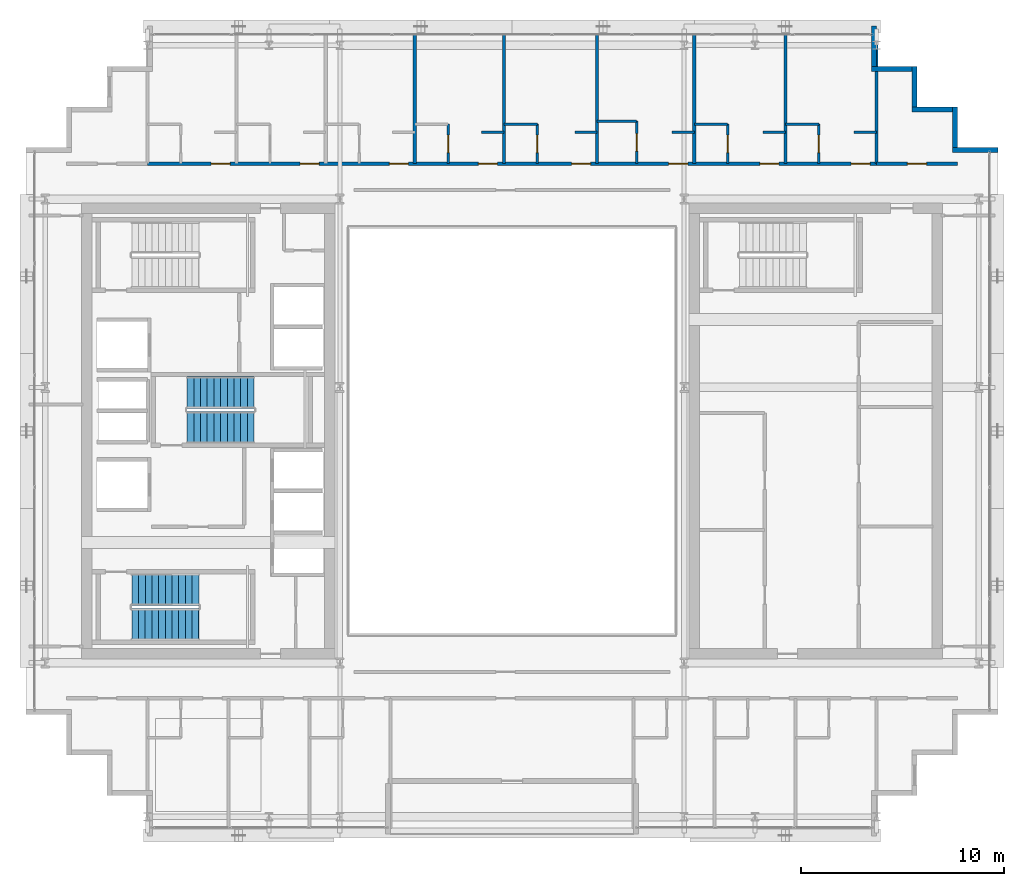
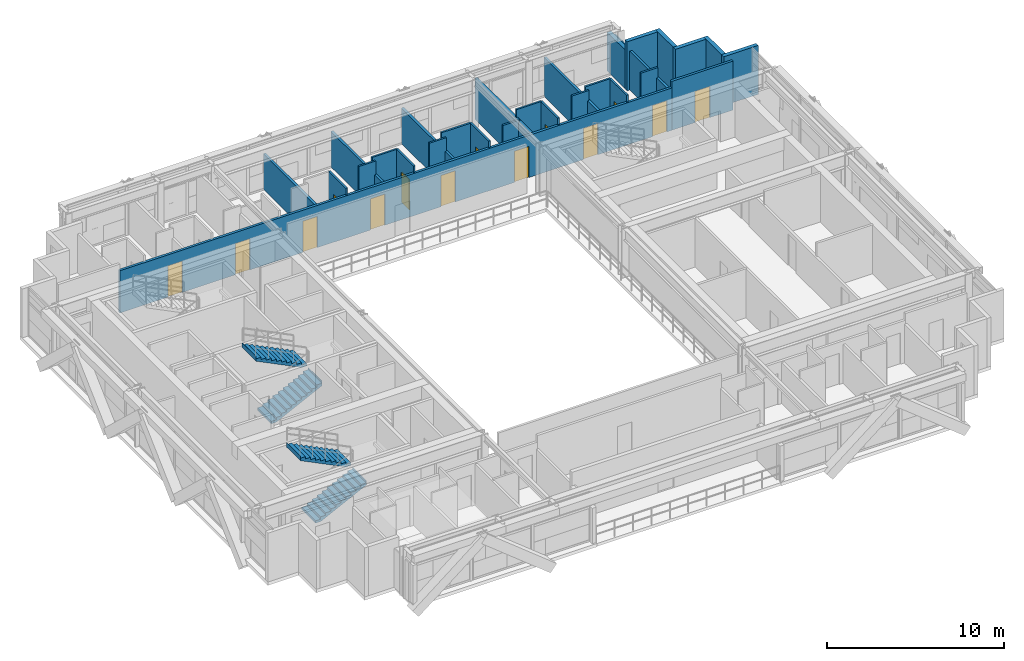
# One storey, part 27 of 32: 28 walls, 14 doors, 4 stair flights, 14 openings, 2 elements without a shape of their own.
"""IFC4 building model written with IfcOpenShell, lengths in metres."""

import ifcopenshell
import ifcopenshell.guid

model = None  # the IFC model being written
_history = None  # IfcOwnerHistory: only IFC2X3 demands one
_inside = {}  # id of a spatial element -> (the spatial element, [elements in it])
_under = {}  # id of a project, library or spatial element -> (it, [spatial elements below it])
_declared = {}  # id of a project -> (the project, [libraries it declares])
_typed = {}  # id of a type object -> (the type object, [elements of that type])
_made_of = {}  # id of a material, layer set ... -> (it, [elements and type objects made of it])


def new_model(schema):
    """Start an empty IFC model of exactly this schema.

    Asked for "IFC4X3", IfcOpenShell would pick the latest addendum, in which some entities
    have other attributes; the version numbers below select the first issue.
    IFC2X3 requires an IfcOwnerHistory on every rooted entity: one is made here for all.
    """
    global model, _history
    if schema == "IFC4X3":
        model = ifcopenshell.file(schema_version=(4, 3, 0, 0))
    else:
        model = ifcopenshell.file(schema=schema)
    _inside.clear()
    _under.clear()
    _declared.clear()
    _typed.clear()
    _made_of.clear()
    _history = None
    if model.schema == "IFC2X3":
        org = make("IfcOrganization", Name="unknown")
        user = make(
            "IfcPersonAndOrganization",
            ThePerson=make("IfcPerson", FamilyName="unknown"),
            TheOrganization=org,
        )
        app = make(
            "IfcApplication",
            ApplicationDeveloper=org,
            Version="unknown",
            ApplicationFullName="unknown",
            ApplicationIdentifier="unknown",
        )
        _history = make(
            "IfcOwnerHistory",
            OwningUser=user,
            OwningApplication=app,
            ChangeAction="ADDED",
            CreationDate=0,
        )
    return model


def make(cls, **values):
    """One entity of the class cls with the attributes given. An attribute that is None is left unset."""
    return model.create_entity(
        cls, **{name: value for name, value in values.items() if value is not None}
    )


def rooted(cls, **values):
    """An entity with a GlobalId (a new one), such as an element, a storey or a relation."""
    return make(cls, GlobalId=ifcopenshell.guid.new(), OwnerHistory=_history, **values)


def si_unit(unit_type, name, prefix=None):
    """IfcSIUnit, for example si_unit("LENGTHUNIT", "METRE", prefix="MILLI")."""
    return make("IfcSIUnit", UnitType=unit_type, Prefix=prefix, Name=name)


def assignment(units):
    """IfcUnitAssignment: the units of a project."""
    return None if units is None else make("IfcUnitAssignment", Units=units)


def point(xyz):
    """IfcCartesianPoint."""
    return None if xyz is None else make("IfcCartesianPoint", Coordinates=xyz)


def direction(xyz):
    """IfcDirection."""
    return None if xyz is None else make("IfcDirection", DirectionRatios=xyz)


def frame(location, z_axis=None, x_axis=None):
    """IfcAxis2Placement3D, a coordinate frame: its origin and axes. An axis left out is left unset."""
    return make(
        "IfcAxis2Placement3D",
        Location=point(location),
        Axis=direction(z_axis),
        RefDirection=direction(x_axis),
    )


def frame_2d(location, x_axis=None):
    """IfcAxis2Placement2D, a coordinate frame in the plane: its origin and x axis."""
    return make(
        "IfcAxis2Placement2D", Location=point(location), RefDirection=direction(x_axis)
    )


def origin():
    """The frame at (0, 0, 0) with its axes left unset."""
    return frame((0.0, 0.0, 0.0))


def place(relative_to, where):
    """IfcLocalPlacement: puts the frame where relative to a parent placement (None: the world)."""
    return make(
        "IfcLocalPlacement", PlacementRelTo=relative_to, RelativePlacement=where
    )


def context(
    kind, dimensions, precision=None, world=None, true_north=None, identifier=None
):
    """IfcGeometricRepresentationContext, for example the 3D "Model" context."""
    return make(
        "IfcGeometricRepresentationContext",
        ContextIdentifier=identifier,
        ContextType=kind,
        CoordinateSpaceDimension=dimensions,
        Precision=precision,
        WorldCoordinateSystem=world,
        TrueNorth=true_north,
    )


def subcontext(parent, identifier, kind, view, scale=None):
    """IfcGeometricRepresentationSubContext, for example "Body" below "Model"."""
    return make(
        "IfcGeometricRepresentationSubContext",
        ContextIdentifier=identifier,
        ContextType=kind,
        ParentContext=parent,
        TargetScale=scale,
        TargetView=view,
    )


def project(units=None, contexts=None):
    """IfcProject with its units and contexts."""
    return rooted(
        "IfcProject",
        Name="project",
        RepresentationContexts=contexts,
        UnitsInContext=assignment(units),
    )


def spatial(cls, under=None, at=None, **own):
    """A site, building, storey or space (cls), placed at a placement, below another one or the project."""
    s = rooted(cls, ObjectPlacement=at, **own)
    if under is not None:
        _under.setdefault(under.id(), (under, []))[1].append(s)
    return s


def polyline(points):
    """IfcPolyline through the points."""
    return make("IfcPolyline", Points=[point(p) for p in points])


def profile(cls, at=None, kind="AREA", **sizes):
    """A parametric profile (cls). Its sizes go by their IFC names, for example OverallWidth=200.0."""
    return make(cls, ProfileType=kind, Position=at, **sizes)


def rectangle(**sizes):
    """IfcRectangleProfileDef."""
    return profile("IfcRectangleProfileDef", **sizes)


def outline(outer, holes=None, kind="AREA"):
    """IfcArbitraryClosedProfileDef: a profile drawn as a closed curve; with holes, ...WithVoids."""
    if holes is None:
        return make("IfcArbitraryClosedProfileDef", ProfileType=kind, OuterCurve=outer)
    return make(
        "IfcArbitraryProfileDefWithVoids",
        ProfileType=kind,
        OuterCurve=outer,
        InnerCurves=holes,
    )


def extrude(swept, where, along, depth):
    """IfcExtrudedAreaSolid: the profile swept, set in the frame where, extruded along a direction by depth."""
    return make(
        "IfcExtrudedAreaSolid",
        SweptArea=swept,
        Position=where,
        ExtrudedDirection=direction(along),
        Depth=depth,
    )


def shape(context_of_items, identifier, shape_type, items):
    """IfcShapeRepresentation: the items that make up one representation, for example the "Body"."""
    return make(
        "IfcShapeRepresentation",
        ContextOfItems=context_of_items,
        RepresentationIdentifier=identifier,
        RepresentationType=shape_type,
        Items=items,
    )


def source(mapping_origin, context_of_items, identifier, shape_type, items):
    """IfcRepresentationMap: a shape defined once, which mapped items show again and again."""
    return make(
        "IfcRepresentationMap",
        MappingOrigin=mapping_origin,
        MappedRepresentation=shape(context_of_items, identifier, shape_type, items),
    )


def transform(
    local_origin,
    x_axis=None,
    y_axis=None,
    z_axis=None,
    scale=None,
    scale2=None,
    scale3=None,
    uniform=True,
):
    """IfcCartesianTransformationOperator3D, or its non-uniform kind. x_axis, y_axis, z_axis: its Axis1, 2, 3."""
    if uniform:
        return make(
            "IfcCartesianTransformationOperator3D",
            Axis1=direction(x_axis),
            Axis2=direction(y_axis),
            LocalOrigin=point(local_origin),
            Scale=scale,
            Axis3=direction(z_axis),
        )
    return make(
        "IfcCartesianTransformationOperator3DnonUniform",
        Axis1=direction(x_axis),
        Axis2=direction(y_axis),
        LocalOrigin=point(local_origin),
        Scale=scale,
        Axis3=direction(z_axis),
        Scale2=scale2,
        Scale3=scale3,
    )


def mapped(mapping_source, mapping_target):
    """IfcMappedItem: shows the shape of a source again, moved by a transform."""
    return make(
        "IfcMappedItem", MappingSource=mapping_source, MappingTarget=mapping_target
    )


def material(Name=None, Category=None):
    """IfcMaterial."""
    return make("IfcMaterial", Name=Name, Category=Category)


def layer(
    of_material, thickness, ventilated=None, Name=None, Category=None, Priority=None
):
    """IfcMaterialLayer: one layer of a wall or slab, of a material (None: an air gap)."""
    return make(
        "IfcMaterialLayer",
        Material=of_material,
        LayerThickness=thickness,
        IsVentilated=ventilated,
        Name=Name,
        Category=Category,
        Priority=Priority,
    )


def layer_set(layers, Name=None):
    """IfcMaterialLayerSet."""
    return make("IfcMaterialLayerSet", MaterialLayers=layers, LayerSetName=Name)


def made_of(thing, what):
    """Note that an element or type object is made of a material, layer set ...; save() writes the relation."""
    if what is not None:
        _made_of.setdefault(what.id(), (what, []))[1].append(thing)
    return thing


def type_object(cls, material=None, **own):
    """A type object (cls), such as IfcWallType, which elements share."""
    return made_of(rooted(cls, **own), material)


def element(
    cls,
    number,
    at=None,
    inside=None,
    cuts=None,
    type_object=None,
    material=None,
    context=None,
    identifier="Body",
    shape_type=None,
    held_by="IfcProductDefinitionShape",
    body=None,
    shapes=None,
    **own,
):
    """One element of the class cls, such as IfcWall. Its Tag is "e" and its number.

    at: its placement. inside: the storey or other place that contains it. cuts: it is an
    opening in that element (IfcRelVoidsElement). A single representation is given by context,
    identifier, shape_type and body (its items); several are given by shapes. held_by: the class
    of the entity that holds the representations. save() writes the other relations.
    """
    e = rooted(cls, Tag="e%d" % number, ObjectPlacement=at, **own)
    if body is not None:
        shapes = [shape(context, identifier, shape_type, body)]
    if shapes is not None:
        e.Representation = make(held_by, Representations=shapes)
    if inside is not None:
        _inside.setdefault(inside.id(), (inside, []))[1].append(e)
    if cuts is not None:
        rooted(
            "IfcRelVoidsElement", RelatingBuildingElement=cuts, RelatedOpeningElement=e
        )
    if type_object is not None:
        _typed.setdefault(type_object.id(), (type_object, []))[1].append(e)
    return made_of(e, material)


def fill(opening, filler):
    """IfcRelFillsElement: the door or window that sits in an opening."""
    return rooted(
        "IfcRelFillsElement",
        RelatingOpeningElement=opening,
        RelatedBuildingElement=filler,
    )


def aggregate(whole, parts):
    """IfcRelAggregates: a whole, such as a stair, and the parts it consists of."""
    return rooted("IfcRelAggregates", RelatingObject=whole, RelatedObjects=parts)


def save(model, path):
    """Write the relations noted so far, then the file.

    IfcRelAggregates (storeys below a building ...), IfcRelContainedInSpatialStructure (elements
    in a storey), IfcRelDefinesByType, IfcRelAssociatesMaterial and IfcRelDeclares: one each for
    every whole, place, type object, material and project.
    """
    for whole, parts in _under.values():
        aggregate(whole, parts)
    for where, things in _inside.values():
        rooted(
            "IfcRelContainedInSpatialStructure",
            RelatedElements=things,
            RelatingStructure=where,
        )
    for kind, things in _typed.values():
        rooted("IfcRelDefinesByType", RelatedObjects=things, RelatingType=kind)
    for what, things in _made_of.values():
        rooted("IfcRelAssociatesMaterial", RelatedObjects=things, RelatingMaterial=what)
    for by, libraries in _declared.values():
        rooted("IfcRelDeclares", RelatingContext=by, RelatedDefinitions=libraries)
    model.write(path)


model = new_model("IFC4")

# Units and contexts
model_context = context("Model", 3, precision=1e-05, world=origin(), true_north=direction((0.0, 1.0)))
body_context = subcontext(model_context, "Body", "Model", "MODEL_VIEW")
ifc_project = project(units=[si_unit("LENGTHUNIT", "METRE"), si_unit("AREAUNIT", "SQUARE_METRE"), si_unit("VOLUMEUNIT", "CUBIC_METRE"), si_unit("PLANEANGLEUNIT", "RADIAN"), si_unit("MASSUNIT", "GRAM", prefix="KILO")], contexts=[model_context])

# Site, building, storey
site_placement = place(None, origin())
site = spatial("IfcSite", under=ifc_project, at=site_placement, CompositionType="ELEMENT")
building_placement = place(site_placement, origin())
building = spatial("IfcBuilding", under=site, at=building_placement, Name="Ocotamira Hotel", CompositionType="ELEMENT")
storey_placement = place(building_placement, frame((0.0, 0.0, 166.800048828125)))
storey = spatial("IfcBuildingStorey", under=building, at=storey_placement, Name="L41", CompositionType="ELEMENT", Elevation=166.800048828125)

# Walls
ifc_material_1 = material(Name="Precast concrete C45/55", Category="concrete")
ifc_layer_1 = layer(ifc_material_1, 0.25)
ifc_layer_set_1 = layer_set([ifc_layer_1], Name="Precast concrete C45/55")
wall_type_1 = type_object("IfcWallType", Name="WL-EXT-SER-250", PredefinedType="SOLIDWALL", material=ifc_layer_set_1)
wall_1_placement = place(storey_placement, frame((56.0, 39.875, 0.0), z_axis=(0.0, 0.0, 1.0), x_axis=(-1.0, 0.0, 0.0)))
element("IfcWall", 1, at=wall_1_placement, inside=storey, type_object=wall_type_1, Name="L41 Serrated Corner Wall 07", PredefinedType="SOLIDWALL", context=body_context, shape_type="SweptSolid", body=[
    extrude(rectangle(XDim=2.25, YDim=0.25, at=frame_2d((1.125, 0.0))), origin(), (0.0, 0.0, 1.0), 3.369873046875),
])
for number, where, z_axis, x_axis, name in (
    (2, (53.875, 40.0, 0.0), (0.0, 0.0, 1.0), (0.0, 1.0, 0.0), "L41 Serrated Corner Wall 08"),
    (3, (53.75, 41.875, 0.0), (0.0, 0.0, 1.0), (-1.0, 0.0, 0.0), "L41 Serrated Corner Wall 09"),
    (4, (51.875, 42.0, 0.0), (0.0, 0.0, 1.0), (0.0, 1.0, 0.0), "L41 Serrated Corner Wall 10"),
    (5, (51.75, 43.875, 0.0), (0.0, 0.0, 1.0), (-1.0, 0.0, 0.0), "L41 Serrated Corner Wall 11"),
):
    element("IfcWall", number, at=place(storey_placement, frame(where, z_axis=z_axis, x_axis=x_axis)), inside=storey, type_object=wall_type_1, Name=name, PredefinedType="SOLIDWALL", context=body_context, shape_type="SweptSolid", body=[
        extrude(rectangle(XDim=2.0, YDim=0.25, at=frame_2d((1.0, 0.0))), origin(), (0.0, 0.0, 1.0), 3.369873046875),
    ])
wall_2_placement = place(storey_placement, frame((49.875, 44.0, 0.0), z_axis=(0.0, 0.0, 1.0), x_axis=(0.0, 1.0, 0.0)))
element("IfcWall", 6, at=wall_2_placement, inside=storey, type_object=wall_type_1, Name="L41 Serrated Corner Wall 12", PredefinedType="SOLIDWALL", context=body_context, shape_type="SweptSolid", body=[
    extrude(rectangle(XDim=2.0, YDim=0.25, at=frame_2d((1.0, 0.0))), origin(), (0.0, 0.0, 1.0), 2.677001953125),
])

# Wall, opening, door
ifc_material_2 = material(Name="Acoustic double-layer fire gypsum board partition", Category="gypsum")
ifc_layer_2 = layer(ifc_material_2, 0.159912109375)
ifc_layer_set_2 = layer_set([ifc_layer_2], Name="Acoustic double-layer fire gypsum board partition")
wall_type_2 = type_object("IfcWallType", Name="WL-FIRE-160", PredefinedType="PARTITIONING", material=ifc_layer_set_2)
wall_3_placement = place(storey_placement, frame((50.0, 39.199951171875, 0.0), z_axis=(0.0, 0.0, 1.0), x_axis=(1.0, 0.0, 0.0)))
wall_3 = element("IfcWall", 7, at=wall_3_placement, inside=storey, type_object=wall_type_2, Name="L41 Interior Wall PW-L41-Z3A-CNE-CW", PredefinedType="PARTITIONING", context=body_context, shape_type="SweptSolid", body=[
    extrude(rectangle(XDim=4.0, YDim=0.159912109375, at=frame_2d((2.0, 0.0))), origin(), (0.0, 0.0, 1.0), 3.369873046875),
])
opening_1_placement = place(wall_3_placement, frame((1.52001953125, 0.0, 0.0)))
opening_1 = element("IfcOpeningElement", 8, at=opening_1_placement, cuts=wall_3, Name="Opening D-SV4", PredefinedType="OPENING", context=body_context, shape_type="SweptSolid", body=[
    extrude(rectangle(XDim=0.9599609375, YDim=2.14990234375, at=frame_2d((0.47998046875, 1.074951171875))), frame((0.0, 0.08984375, 0.0), z_axis=(0.0, -1.0, 0.0), x_axis=(1.0, 0.0, 0.0)), (0.0, 0.0, 1.0), 0.179931640625),
])
ifc_material_3 = material(Name="Fire-rated accessible walnut salon door", Category="wood")
door_type_1 = type_object("IfcDoorType", Name="DR-SERV-960", OperationType="NOTDEFINED", PredefinedType="DOOR", material=ifc_material_3)
shared_shape_1 = source(origin(), body_context, "Body", "SweptSolid", [
    extrude(rectangle(XDim=0.9599609375, YDim=2.14990234375, at=frame_2d((0.47998046875, 1.074951171875))), frame((0.0, 0.02490234375, 0.0), z_axis=(0.0, -1.0, 0.0), x_axis=(1.0, 0.0, 0.0)), (0.0, 0.0, 1.0), 0.050048828125),
])
door_1_placement = place(opening_1_placement, origin())
door_1 = element("IfcDoor", 9, at=door_1_placement, inside=storey, type_object=door_type_1, Name="L41 Door ID-L41-Z3A-CNE-CD [ID-L41-Z3A-CNE-CD]", OperationType="SINGLE_SWING_LEFT", OverallHeight=2.14990234375, OverallWidth=0.9599609375, PredefinedType="DOOR", context=body_context, shape_type="MappedRepresentation", body=[
    mapped(shared_shape_1, transform((0.0, 0.0, 0.0), scale=1.0)),
])
fill(opening_1, door_1)

# Wall, openings, doors
wall_4_placement = place(storey_placement, frame((14.0, 39.199951171875, 0.0), z_axis=(0.0, 0.0, 1.0), x_axis=(1.0, 0.0, 0.0)))
wall_4 = element("IfcWall", 10, at=wall_4_placement, inside=storey, type_object=wall_type_2, Name="L41 Interior Wall PW-L41-Z3AN-CORRW", PredefinedType="PARTITIONING", context=body_context, shape_type="SweptSolid", body=[
    extrude(rectangle(XDim=36.0, YDim=0.159912109375, at=frame_2d((18.0, 0.0))), origin(), (0.0, 0.0, 1.0), 2.912841796875),
])
opening_2_placement = place(wall_4_placement, frame((3.139892578125, 0.0, 0.0)))
opening_2 = element("IfcOpeningElement", 11, at=opening_2_placement, cuts=wall_4, Name="Opening D-GR1", PredefinedType="OPENING", context=body_context, shape_type="SweptSolid", body=[
    extrude(rectangle(XDim=0.93994140625, YDim=2.14990234375, at=frame_2d((0.469970703125, 1.074951171875))), frame((0.0, 0.08984375, 0.0), z_axis=(0.0, -1.0, 0.0), x_axis=(1.0, 0.0, 0.0)), (0.0, 0.0, 1.0), 0.179931640625),
])
opening_3_placement = place(wall_4_placement, frame((7.5400390625, 0.0, 0.0)))
opening_3 = element("IfcOpeningElement", 12, at=opening_3_placement, cuts=wall_4, Name="Opening D-GR1", PredefinedType="OPENING", context=body_context, shape_type="SweptSolid", body=[
    extrude(rectangle(XDim=0.93994140625, YDim=2.14990234375, at=frame_2d((0.469970703125, 1.074951171875))), frame((0.0, 0.08984375, 0.0), z_axis=(0.0, -1.0, 0.0), x_axis=(1.0, 0.0, 0.0)), (0.0, 0.0, 1.0), 0.179931640625),
])
opening_4_placement = place(wall_4_placement, frame((11.93994140625, 0.0, 0.0)))
opening_4 = element("IfcOpeningElement", 13, at=opening_4_placement, cuts=wall_4, Name="Opening D-GR1", PredefinedType="OPENING", context=body_context, shape_type="SweptSolid", body=[
    extrude(rectangle(XDim=0.93994140625, YDim=2.14990234375, at=frame_2d((0.469970703125, 1.074951171875))), frame((0.0, 0.08984375, 0.0), z_axis=(0.0, -1.0, 0.0), x_axis=(1.0, 0.0, 0.0)), (0.0, 0.0, 1.0), 0.179931640625),
])
opening_5_placement = place(wall_4_placement, frame((16.340087890625, 0.0, 0.0)))
opening_5 = element("IfcOpeningElement", 14, at=opening_5_placement, cuts=wall_4, Name="Opening D-GR1", PredefinedType="OPENING", context=body_context, shape_type="SweptSolid", body=[
    extrude(rectangle(XDim=0.93994140625, YDim=2.14990234375, at=frame_2d((0.469970703125, 1.074951171875))), frame((0.0, 0.08984375, 0.0), z_axis=(0.0, -1.0, 0.0), x_axis=(1.0, 0.0, 0.0)), (0.0, 0.0, 1.0), 0.179931640625),
])
opening_6_placement = place(wall_4_placement, frame((20.93994140625, 0.0, 0.0)))
opening_6 = element("IfcOpeningElement", 15, at=opening_6_placement, cuts=wall_4, Name="Opening D-GR1", PredefinedType="OPENING", context=body_context, shape_type="SweptSolid", body=[
    extrude(rectangle(XDim=0.93994140625, YDim=2.14990234375, at=frame_2d((0.469970703125, 1.074951171875))), frame((0.0, 0.08984375, 0.0), z_axis=(0.0, -1.0, 0.0), x_axis=(1.0, 0.0, 0.0)), (0.0, 0.0, 1.0), 0.179931640625),
])
opening_7_placement = place(wall_4_placement, frame((25.739990234375, 0.0, 0.0)))
opening_7 = element("IfcOpeningElement", 16, at=opening_7_placement, cuts=wall_4, Name="Opening D-GR1", PredefinedType="OPENING", context=body_context, shape_type="SweptSolid", body=[
    extrude(rectangle(XDim=0.93994140625, YDim=2.14990234375, at=frame_2d((0.469970703125, 1.074951171875))), frame((0.0, 0.08984375, 0.0), z_axis=(0.0, -1.0, 0.0), x_axis=(1.0, 0.0, 0.0)), (0.0, 0.0, 1.0), 0.179931640625),
])
opening_8_placement = place(wall_4_placement, frame((30.239990234375, 0.0, 0.0)))
opening_8 = element("IfcOpeningElement", 17, at=opening_8_placement, cuts=wall_4, Name="Opening D-GR1", PredefinedType="OPENING", context=body_context, shape_type="SweptSolid", body=[
    extrude(rectangle(XDim=0.93994140625, YDim=2.14990234375, at=frame_2d((0.469970703125, 1.074951171875))), frame((0.0, 0.08984375, 0.0), z_axis=(0.0, -1.0, 0.0), x_axis=(1.0, 0.0, 0.0)), (0.0, 0.0, 1.0), 0.179931640625),
])
opening_9_placement = place(wall_4_placement, frame((34.739990234375, 0.0, 0.0)))
opening_9 = element("IfcOpeningElement", 18, at=opening_9_placement, cuts=wall_4, Name="Opening D-GR1", PredefinedType="OPENING", context=body_context, shape_type="SweptSolid", body=[
    extrude(rectangle(XDim=0.93994140625, YDim=2.14990234375, at=frame_2d((0.469970703125, 1.074951171875))), frame((0.0, 0.08984375, 0.0), z_axis=(0.0, -1.0, 0.0), x_axis=(1.0, 0.0, 0.0)), (0.0, 0.0, 1.0), 0.179931640625),
])
ifc_material_4 = material(Name="Solid-core walnut suite entrance fire door", Category="wood")
door_type_2 = type_object("IfcDoorType", Name="DR-GUEST-940", OperationType="NOTDEFINED", PredefinedType="DOOR", material=ifc_material_4)
shared_shape_2 = source(origin(), body_context, "Body", "SweptSolid", [
    extrude(rectangle(XDim=0.93994140625, YDim=2.14990234375, at=frame_2d((0.469970703125, 1.074951171875))), frame((0.0, 0.02490234375, 0.0), z_axis=(0.0, -1.0, 0.0), x_axis=(1.0, 0.0, 0.0)), (0.0, 0.0, 1.0), 0.050048828125),
])
door_2_placement = place(opening_2_placement, origin())
door_2 = element("IfcDoor", 19, at=door_2_placement, inside=storey, type_object=door_type_2, Name="L41 Door ID-L41-Z3AN-RMD1 [ID-L41-Z3AN-RMD1]", OperationType="SINGLE_SWING_LEFT", OverallHeight=2.14990234375, OverallWidth=0.93994140625, PredefinedType="DOOR", context=body_context, shape_type="MappedRepresentation", body=[
    mapped(shared_shape_2, transform((0.0, 0.0, 0.0), scale=1.0)),
])
fill(opening_2, door_2)
door_3_placement = place(opening_3_placement, origin())
door_3 = element("IfcDoor", 20, at=door_3_placement, inside=storey, type_object=door_type_2, Name="L41 Door ID-L41-Z3AN-RMD2 [ID-L41-Z3AN-RMD2]", OperationType="SINGLE_SWING_RIGHT", OverallHeight=2.14990234375, OverallWidth=0.93994140625, PredefinedType="DOOR", context=body_context, shape_type="MappedRepresentation", body=[
    mapped(shared_shape_2, transform((0.0, 0.0, 0.0), scale=1.0)),
])
fill(opening_3, door_3)
door_4_placement = place(opening_4_placement, origin())
door_4 = element("IfcDoor", 21, at=door_4_placement, inside=storey, type_object=door_type_2, Name="L41 Door ID-L41-Z3AN-RMD3 [ID-L41-Z3AN-RMD3]", OperationType="SINGLE_SWING_LEFT", OverallHeight=2.14990234375, OverallWidth=0.93994140625, PredefinedType="DOOR", context=body_context, shape_type="MappedRepresentation", body=[
    mapped(shared_shape_2, transform((0.0, 0.0, 0.0), scale=1.0)),
])
fill(opening_4, door_4)
door_5_placement = place(opening_5_placement, origin())
door_5 = element("IfcDoor", 22, at=door_5_placement, inside=storey, type_object=door_type_2, Name="L41 Door ID-L41-Z3AN-RMD4 [ID-L41-Z3AN-RMD4]", OperationType="SINGLE_SWING_RIGHT", OverallHeight=2.14990234375, OverallWidth=0.93994140625, PredefinedType="DOOR", context=body_context, shape_type="MappedRepresentation", body=[
    mapped(shared_shape_2, transform((0.0, 0.0, 0.0), scale=1.0)),
])
fill(opening_5, door_5)
door_6_placement = place(opening_6_placement, origin())
door_6 = element("IfcDoor", 23, at=door_6_placement, inside=storey, type_object=door_type_2, Name="L41 Door ID-L41-Z3AN-RMD5 [ID-L41-Z3AN-RMD5]", OperationType="SINGLE_SWING_LEFT", OverallHeight=2.14990234375, OverallWidth=0.93994140625, PredefinedType="DOOR", context=body_context, shape_type="MappedRepresentation", body=[
    mapped(shared_shape_2, transform((0.0, 0.0, 0.0), scale=1.0)),
])
fill(opening_6, door_6)
door_7_placement = place(opening_7_placement, origin())
door_7 = element("IfcDoor", 24, at=door_7_placement, inside=storey, type_object=door_type_2, Name="L41 Door ID-L41-Z3AN-RMD6 [ID-L41-Z3AN-RMD6]", OperationType="SINGLE_SWING_RIGHT", OverallHeight=2.14990234375, OverallWidth=0.93994140625, PredefinedType="DOOR", context=body_context, shape_type="MappedRepresentation", body=[
    mapped(shared_shape_2, transform((0.0, 0.0, 0.0), scale=1.0)),
])
fill(opening_7, door_7)
door_8_placement = place(opening_8_placement, origin())
door_8 = element("IfcDoor", 25, at=door_8_placement, inside=storey, type_object=door_type_2, Name="L41 Door ID-L41-Z3AN-RMD7 [ID-L41-Z3AN-RMD7]", OperationType="SINGLE_SWING_LEFT", OverallHeight=2.14990234375, OverallWidth=0.93994140625, PredefinedType="DOOR", context=body_context, shape_type="MappedRepresentation", body=[
    mapped(shared_shape_2, transform((0.0, 0.0, 0.0), scale=1.0)),
])
fill(opening_8, door_8)
door_9_placement = place(opening_9_placement, origin())
door_9 = element("IfcDoor", 26, at=door_9_placement, inside=storey, type_object=door_type_2, Name="L41 Door ID-L41-Z3AN-RMD8 [ID-L41-Z3AN-RMD8]", OperationType="SINGLE_SWING_RIGHT", OverallHeight=2.14990234375, OverallWidth=0.93994140625, PredefinedType="DOOR", context=body_context, shape_type="MappedRepresentation", body=[
    mapped(shared_shape_2, transform((0.0, 0.0, 0.0), scale=1.0)),
])
fill(opening_9, door_9)

# Wall, opening, door
ifc_material_5 = material(Name="Moisture-resistant en-suite tile and gypsum partition", Category="gypsum")
ifc_layer_3 = layer(ifc_material_5, 0.1201171875)
ifc_layer_set_3 = layer_set([ifc_layer_3], Name="Moisture-resistant en-suite tile and gypsum partition")
wall_type_3 = type_object("IfcWallType", Name="WL-PART-120", PredefinedType="PARTITIONING", material=ifc_layer_set_3)
wall_5_placement = place(storey_placement, frame((28.85009765625, 39.199951171875, 0.0), z_axis=(0.0, 0.0, 1.0), x_axis=(0.0, 1.0, 0.0)))
wall_5 = element("IfcWall", 27, at=wall_5_placement, inside=storey, type_object=wall_type_3, Name="L41 Interior Wall PW-L41-Z3AN-BAE4", PredefinedType="PARTITIONING", context=body_context, shape_type="SweptSolid", body=[
    extrude(rectangle(XDim=1.949951171875, YDim=0.1201171875, at=frame_2d((0.97509765625, 0.0))), origin(), (0.0, 0.0, 1.0), 3.369873046875),
])
opening_10_placement = place(wall_5_placement, frame((0.544921875, 0.0, 0.0)))
opening_10 = element("IfcOpeningElement", 28, at=opening_10_placement, cuts=wall_5, Name="Opening D-BA1", PredefinedType="OPENING", context=body_context, shape_type="SweptSolid", body=[
    extrude(rectangle(XDim=0.860107421875, YDim=2.10009765625, at=frame_2d((0.43017578125, 1.050048828125))), frame((0.0, 0.070068359375, 0.0), z_axis=(0.0, -1.0, 0.0), x_axis=(1.0, 0.0, 0.0)), (0.0, 0.0, 1.0), 0.14013671875),
])
ifc_material_6 = material(Name="Moisture-sealed en-suite timber door", Category="wood")
door_type_3 = type_object("IfcDoorType", Name="DR-BATH-860", OperationType="NOTDEFINED", PredefinedType="DOOR", material=ifc_material_6)
shared_shape_3 = source(origin(), body_context, "Body", "SweptSolid", [
    extrude(rectangle(XDim=0.860107421875, YDim=2.10009765625, at=frame_2d((0.43017578125, 1.050048828125))), frame((0.0, 0.02490234375, 0.0), z_axis=(0.0, -1.0, 0.0), x_axis=(1.0, 0.0, 0.0)), (0.0, 0.0, 1.0), 0.050048828125),
])
door_10_placement = place(opening_10_placement, origin())
door_10 = element("IfcDoor", 29, at=door_10_placement, inside=storey, type_object=door_type_3, Name="L41 Door ID-L41-Z3AN-BAD4 [ID-L41-Z3AN-BAD4]", OperationType="SINGLE_SWING_LEFT", OverallHeight=2.10009765625, OverallWidth=0.860107421875, PredefinedType="DOOR", context=body_context, shape_type="MappedRepresentation", body=[
    mapped(shared_shape_3, transform((0.0, 0.0, 0.0), scale=1.0)),
])
fill(opening_10, door_10)

# Wall
wall_6_placement = place(storey_placement, frame((30.5, 40.75, 0.0), z_axis=(0.0, 0.0, 1.0), x_axis=(1.0, 0.0, 0.0)))
element("IfcWall", 30, at=wall_6_placement, inside=storey, type_object=wall_type_3, Name="L41 Interior Wall PW-L41-Z3AN-DRN4", PredefinedType="PARTITIONING", context=body_context, shape_type="SweptSolid", body=[
    extrude(rectangle(XDim=1.10009765625, YDim=0.1201171875, at=frame_2d((0.550048828125, 0.0))), origin(), (0.0, 0.0, 1.0), 3.369873046875),
])

# Wall, opening, door
wall_7_placement = place(storey_placement, frame((33.25, 39.199951171875, 0.0), z_axis=(0.0, 0.0, 1.0), x_axis=(0.0, 1.0, 0.0)))
wall_7 = element("IfcWall", 31, at=wall_7_placement, inside=storey, type_object=wall_type_3, Name="L41 Interior Wall PW-L41-Z3AN-BAE5", PredefinedType="PARTITIONING", context=body_context, shape_type="SweptSolid", body=[
    extrude(rectangle(XDim=1.949951171875, YDim=0.1201171875, at=frame_2d((0.97509765625, 0.0))), origin(), (0.0, 0.0, 1.0), 3.369873046875),
])
opening_11_placement = place(wall_7_placement, frame((0.544921875, 0.0, 0.0)))
opening_11 = element("IfcOpeningElement", 32, at=opening_11_placement, cuts=wall_7, Name="Opening D-BA1", PredefinedType="OPENING", context=body_context, shape_type="SweptSolid", body=[
    extrude(rectangle(XDim=0.860107421875, YDim=2.10009765625, at=frame_2d((0.43017578125, 1.050048828125))), frame((0.0, 0.070068359375, 0.0), z_axis=(0.0, -1.0, 0.0), x_axis=(1.0, 0.0, 0.0)), (0.0, 0.0, 1.0), 0.14013671875),
])
door_11_placement = place(opening_11_placement, origin())
door_11 = element("IfcDoor", 33, at=door_11_placement, inside=storey, type_object=door_type_3, Name="L41 Door ID-L41-Z3AN-BAD5 [ID-L41-Z3AN-BAD5]", OperationType="SINGLE_SWING_RIGHT", OverallHeight=2.10009765625, OverallWidth=0.860107421875, PredefinedType="DOOR", context=body_context, shape_type="MappedRepresentation", body=[
    mapped(shared_shape_3, transform((0.0, 0.0, 0.0), scale=1.0)),
])
fill(opening_11, door_11)

# Walls
wall_8_placement = place(storey_placement, frame((31.60009765625, 41.14990234375, 0.0), z_axis=(0.0, 0.0, 1.0), x_axis=(1.0, 0.0, 0.0)))
element("IfcWall", 34, at=wall_8_placement, inside=storey, type_object=wall_type_3, Name="L41 Interior Wall PW-L41-Z3AN-BAN5", PredefinedType="PARTITIONING", context=body_context, shape_type="SweptSolid", body=[
    extrude(rectangle(XDim=1.64990234375, YDim=0.1201171875, at=frame_2d((0.824951171875, 0.0))), origin(), (0.0, 0.0, 1.0), 3.369873046875),
])
wall_9_placement = place(storey_placement, frame((35.10009765625, 40.75, 0.0), z_axis=(0.0, 0.0, 1.0), x_axis=(1.0, 0.0, 0.0)))
element("IfcWall", 35, at=wall_9_placement, inside=storey, type_object=wall_type_3, Name="L41 Interior Wall PW-L41-Z3AN-DRN5", PredefinedType="PARTITIONING", context=body_context, shape_type="SweptSolid", body=[
    extrude(rectangle(XDim=1.099853515625, YDim=0.1201171875, at=frame_2d((0.5498046875, 0.0))), origin(), (0.0, 0.0, 1.0), 3.369873046875),
])

# Wall, opening, door
wall_10_placement = place(storey_placement, frame((38.14990234375, 39.199951171875, 0.0), z_axis=(0.0, 0.0, 1.0), x_axis=(0.0, 1.0, 0.0)))
wall_10 = element("IfcWall", 36, at=wall_10_placement, inside=storey, type_object=wall_type_3, Name="L41 Interior Wall PW-L41-Z3AN-BAE6", PredefinedType="PARTITIONING", context=body_context, shape_type="SweptSolid", body=[
    extrude(rectangle(XDim=2.10009765625, YDim=0.1201171875, at=frame_2d((1.050048828125, 0.0))), origin(), (0.0, 0.0, 1.0), 3.369873046875),
])
opening_12_placement = place(wall_10_placement, frame((0.6201171875, 0.0, 0.0)))
opening_12 = element("IfcOpeningElement", 37, at=opening_12_placement, cuts=wall_10, Name="Opening D-BA1", PredefinedType="OPENING", context=body_context, shape_type="SweptSolid", body=[
    extrude(rectangle(XDim=0.860107421875, YDim=2.10009765625, at=frame_2d((0.43017578125, 1.050048828125))), frame((0.0, 0.070068359375, 0.0), z_axis=(0.0, -1.0, 0.0), x_axis=(1.0, 0.0, 0.0)), (0.0, 0.0, 1.0), 0.14013671875),
])
door_12_placement = place(opening_12_placement, origin())
door_12 = element("IfcDoor", 38, at=door_12_placement, inside=storey, type_object=door_type_3, Name="L41 Door ID-L41-Z3AN-BAD6 [ID-L41-Z3AN-BAD6]", OperationType="SINGLE_SWING_LEFT", OverallHeight=2.10009765625, OverallWidth=0.860107421875, PredefinedType="DOOR", context=body_context, shape_type="MappedRepresentation", body=[
    mapped(shared_shape_3, transform((0.0, 0.0, 0.0), scale=1.0)),
])
fill(opening_12, door_12)

# Walls
wall_11_placement = place(storey_placement, frame((36.199951171875, 41.300048828125, 0.0), z_axis=(0.0, 0.0, 1.0), x_axis=(1.0, 0.0, 0.0)))
element("IfcWall", 39, at=wall_11_placement, inside=storey, type_object=wall_type_3, Name="L41 Interior Wall PW-L41-Z3AN-BAN6", PredefinedType="PARTITIONING", context=body_context, shape_type="SweptSolid", body=[
    extrude(rectangle(XDim=1.949951171875, YDim=0.1201171875, at=frame_2d((0.97509765625, 0.0))), origin(), (0.0, 0.0, 1.0), 3.369873046875),
])
wall_12_placement = place(storey_placement, frame((39.89990234375, 40.75, 0.0), z_axis=(0.0, 0.0, 1.0), x_axis=(1.0, 0.0, 0.0)))
element("IfcWall", 40, at=wall_12_placement, inside=storey, type_object=wall_type_3, Name="L41 Interior Wall PW-L41-Z3AN-DRN6", PredefinedType="PARTITIONING", context=body_context, shape_type="SweptSolid", body=[
    extrude(rectangle(XDim=1.10009765625, YDim=0.1201171875, at=frame_2d((0.550048828125, 0.0))), origin(), (0.0, 0.0, 1.0), 2.912841796875),
])

# Wall, opening, door
wall_13_placement = place(storey_placement, frame((42.64990234375, 39.199951171875, 0.0), z_axis=(0.0, 0.0, 1.0), x_axis=(0.0, 1.0, 0.0)))
wall_13 = element("IfcWall", 41, at=wall_13_placement, inside=storey, type_object=wall_type_3, Name="L41 Interior Wall PW-L41-Z3AN-BAE7", PredefinedType="PARTITIONING", context=body_context, shape_type="SweptSolid", body=[
    extrude(rectangle(XDim=1.949951171875, YDim=0.1201171875, at=frame_2d((0.97509765625, 0.0))), origin(), (0.0, 0.0, 1.0), 3.369873046875),
])
opening_13_placement = place(wall_13_placement, frame((0.544921875, 0.0, 0.0)))
opening_13 = element("IfcOpeningElement", 42, at=opening_13_placement, cuts=wall_13, Name="Opening D-BA1", PredefinedType="OPENING", context=body_context, shape_type="SweptSolid", body=[
    extrude(rectangle(XDim=0.860107421875, YDim=2.10009765625, at=frame_2d((0.43017578125, 1.050048828125))), frame((0.0, 0.070068359375, 0.0), z_axis=(0.0, -1.0, 0.0), x_axis=(1.0, 0.0, 0.0)), (0.0, 0.0, 1.0), 0.14013671875),
])
door_13_placement = place(opening_13_placement, origin())
door_13 = element("IfcDoor", 43, at=door_13_placement, inside=storey, type_object=door_type_3, Name="L41 Door ID-L41-Z3AN-BAD7 [ID-L41-Z3AN-BAD7]", OperationType="SINGLE_SWING_RIGHT", OverallHeight=2.10009765625, OverallWidth=0.860107421875, PredefinedType="DOOR", context=body_context, shape_type="MappedRepresentation", body=[
    mapped(shared_shape_3, transform((0.0, 0.0, 0.0), scale=1.0)),
])
fill(opening_13, door_13)

# Walls
wall_14_placement = place(storey_placement, frame((41.0, 41.14990234375, 0.0), z_axis=(0.0, 0.0, 1.0), x_axis=(1.0, 0.0, 0.0)))
element("IfcWall", 44, at=wall_14_placement, inside=storey, type_object=wall_type_3, Name="L41 Interior Wall PW-L41-Z3AN-BAN7", PredefinedType="PARTITIONING", context=body_context, shape_type="SweptSolid", body=[
    extrude(rectangle(XDim=1.64990234375, YDim=0.1201171875, at=frame_2d((0.824951171875, 0.0))), origin(), (0.0, 0.0, 1.0), 3.369873046875),
])
wall_15_placement = place(storey_placement, frame((44.39990234375, 40.75, 0.0), z_axis=(0.0, 0.0, 1.0), x_axis=(1.0, 0.0, 0.0)))
element("IfcWall", 45, at=wall_15_placement, inside=storey, type_object=wall_type_3, Name="L41 Interior Wall PW-L41-Z3AN-DRN7", PredefinedType="PARTITIONING", context=body_context, shape_type="SweptSolid", body=[
    extrude(rectangle(XDim=1.10009765625, YDim=0.1201171875, at=frame_2d((0.550048828125, 0.0))), origin(), (0.0, 0.0, 1.0), 3.369873046875),
])

# Wall, opening, door
wall_16_placement = place(storey_placement, frame((47.14990234375, 39.199951171875, 0.0), z_axis=(0.0, 0.0, 1.0), x_axis=(0.0, 1.0, 0.0)))
wall_16 = element("IfcWall", 46, at=wall_16_placement, inside=storey, type_object=wall_type_3, Name="L41 Interior Wall PW-L41-Z3AN-BAE8", PredefinedType="PARTITIONING", context=body_context, shape_type="SweptSolid", body=[
    extrude(rectangle(XDim=1.949951171875, YDim=0.1201171875, at=frame_2d((0.97509765625, 0.0))), origin(), (0.0, 0.0, 1.0), 3.369873046875),
])
opening_14_placement = place(wall_16_placement, frame((0.544921875, 0.0, 0.0)))
opening_14 = element("IfcOpeningElement", 47, at=opening_14_placement, cuts=wall_16, Name="Opening D-BA1", PredefinedType="OPENING", context=body_context, shape_type="SweptSolid", body=[
    extrude(rectangle(XDim=0.860107421875, YDim=2.10009765625, at=frame_2d((0.43017578125, 1.050048828125))), frame((0.0, 0.070068359375, 0.0), z_axis=(0.0, -1.0, 0.0), x_axis=(1.0, 0.0, 0.0)), (0.0, 0.0, 1.0), 0.14013671875),
])
door_14_placement = place(opening_14_placement, origin())
door_14 = element("IfcDoor", 48, at=door_14_placement, inside=storey, type_object=door_type_3, Name="L41 Door ID-L41-Z3AN-BAD8 [ID-L41-Z3AN-BAD8]", OperationType="SINGLE_SWING_LEFT", OverallHeight=2.10009765625, OverallWidth=0.860107421875, PredefinedType="DOOR", context=body_context, shape_type="MappedRepresentation", body=[
    mapped(shared_shape_3, transform((0.0, 0.0, 0.0), scale=1.0)),
])
fill(opening_14, door_14)

# Walls
wall_17_placement = place(storey_placement, frame((45.5, 41.14990234375, 0.0), z_axis=(0.0, 0.0, 1.0), x_axis=(1.0, 0.0, 0.0)))
element("IfcWall", 49, at=wall_17_placement, inside=storey, type_object=wall_type_3, Name="L41 Interior Wall PW-L41-Z3AN-BAN8", PredefinedType="PARTITIONING", context=body_context, shape_type="SweptSolid", body=[
    extrude(rectangle(XDim=1.64990234375, YDim=0.1201171875, at=frame_2d((0.824951171875, 0.0))), origin(), (0.0, 0.0, 1.0), 3.369873046875),
])
wall_18_placement = place(storey_placement, frame((48.89990234375, 40.75, 0.0), z_axis=(0.0, 0.0, 1.0), x_axis=(1.0, 0.0, 0.0)))
element("IfcWall", 50, at=wall_18_placement, inside=storey, type_object=wall_type_3, Name="L41 Interior Wall PW-L41-Z3AN-DRN8", PredefinedType="PARTITIONING", context=body_context, shape_type="SweptSolid", body=[
    extrude(rectangle(XDim=1.10009765625, YDim=0.1201171875, at=frame_2d((0.550048828125, 0.0))), origin(), (0.0, 0.0, 1.0), 3.369873046875),
])
ifc_material_7 = material(Name="Acoustic double-stud hospitality gypsum partition", Category="gypsum")
ifc_layer_4 = layer(ifc_material_7, 0.159912109375)
ifc_layer_set_4 = layer_set([ifc_layer_4], Name="Acoustic double-stud hospitality gypsum partition")
wall_type_4 = type_object("IfcWallType", Name="WL-PART-160", PredefinedType="PARTITIONING", material=ifc_layer_set_4)
wall_19_placement = place(storey_placement, frame((50.0, 39.199951171875, 0.0), z_axis=(0.0, 0.0, 1.0), x_axis=(0.0, 1.0, 0.0)))
element("IfcWall", 51, at=wall_19_placement, inside=storey, type_object=wall_type_4, Name="L41 Interior Wall PW-L41-Z3AN-PWEND", PredefinedType="PARTITIONING", context=body_context, shape_type="SweptSolid", body=[
    extrude(rectangle(XDim=6.43994140625, YDim=0.159912109375, at=frame_2d((3.219970703125, 0.0))), origin(), (0.0, 0.0, 1.0), 2.677001953125),
])
for number, where, z_axis, x_axis, name in (
    (52, (27.199951171875, 39.199951171875, 0.0), (0.0, 0.0, 1.0), (0.0, 1.0, 0.0), "L41 Interior Wall PW-L41-Z3AN-PW3"),
    (53, (31.60009765625, 39.199951171875, 0.0), (0.0, 0.0, 1.0), (0.0, 1.0, 0.0), "L41 Interior Wall PW-L41-Z3AN-PW4"),
    (54, (36.199951171875, 39.199951171875, 0.0), (0.0, 0.0, 1.0), (0.0, 1.0, 0.0), "L41 Interior Wall PW-L41-Z3AN-PW5"),
):
    element("IfcWall", number, at=place(storey_placement, frame(where, z_axis=z_axis, x_axis=x_axis)), inside=storey, type_object=wall_type_4, Name=name, PredefinedType="PARTITIONING", context=body_context, shape_type="SweptSolid", body=[
        extrude(rectangle(XDim=6.43994140625, YDim=0.159912109375, at=frame_2d((3.219970703125, 0.0))), origin(), (0.0, 0.0, 1.0), 2.44287109375),
    ])
wall_20_placement = place(storey_placement, frame((45.5, 39.199951171875, 0.0), z_axis=(0.0, 0.0, 1.0), x_axis=(0.0, 1.0, 0.0)))
element("IfcWall", 55, at=wall_20_placement, inside=storey, type_object=wall_type_4, Name="L41 Interior Wall PW-L41-Z3AN-PW7", PredefinedType="PARTITIONING", context=body_context, shape_type="SweptSolid", body=[
    extrude(rectangle(XDim=6.43994140625, YDim=0.159912109375, at=frame_2d((3.219970703125, 0.0))), origin(), (0.0, 0.0, 1.0), 2.677001953125),
])
ifc_material_8 = material(Name="Double-stud suite party gypsum partition", Category="gypsum")
ifc_layer_5 = layer(ifc_material_8, 0.175048828125)
ifc_layer_set_5 = layer_set([ifc_layer_5], Name="Double-stud suite party gypsum partition")
wall_type_5 = type_object("IfcWallType", Name="WL-PART-175", PredefinedType="PARTITIONING", material=ifc_layer_set_5)
wall_21_placement = place(storey_placement, frame((41.0, 39.199951171875, 0.0), z_axis=(0.0, 0.0, 1.0), x_axis=(0.0, 1.0, 0.0)))
element("IfcWall", 56, at=wall_21_placement, inside=storey, type_object=wall_type_5, Name="L41 Interior Wall PW-L41-Z3AN-PW6", PredefinedType="PARTITIONING", context=body_context, shape_type="SweptSolid", body=[
    extrude(rectangle(XDim=6.43994140625, YDim=0.175048828125, at=frame_2d((3.219970703125, 0.0))), origin(), (0.0, 0.0, 1.0), 2.8330078125),
])

# Stair, stair flights
ifc_material_9 = material(Name="Concrete C40/50", Category="concrete")
stair_type = type_object("IfcStairType", Name="ST-CORE-1560", PredefinedType="HALF_TURN_STAIR", material=ifc_material_9)
stair_1_placement = place(storey_placement, origin())
stair_1 = element("IfcStair", 57, at=stair_1_placement, inside=storey, type_object=stair_type, Name="L41 Exit Stair ST-1", PredefinedType="HALF_TURN_STAIR")
stair_flight_type = type_object("IfcStairFlightType", Name="STF-CORE-1560", PredefinedType="STRAIGHT", material=ifc_material_9)
shared_shape_4 = source(origin(), body_context, "Body", "SweptSolid", [
    extrude(outline(polyline([(-0.00390625, 0.0), (-0.00390625, 0.16357421875), (0.330078125, 0.16357421875), (0.330078125, 0.327392578125), (0.659912109375, 0.327392578125), (0.659912109375, 0.490966796875), (0.989990234375, 0.490966796875), (0.989990234375, 0.654541015625), (1.320068359375, 0.654541015625), (1.320068359375, 0.818115234375), (1.64990234375, 0.818115234375), (1.64990234375, 0.98193359375), (1.97998046875, 0.98193359375), (1.97998046875, 1.1455078125), (2.31005859375, 1.1455078125), (2.31005859375, 1.30908203125), (2.639892578125, 1.30908203125), (2.639892578125, 1.47265625), (2.969970703125, 1.47265625), (2.969970703125, 1.636474609375), (3.300048828125, 1.636474609375), (3.300048828125, 1.800048828125), (3.303955078125, 1.800048828125), (3.303955078125, 1.468994140625), (0.33740234375, 0.0), (-0.00390625, 0.0)])), frame((0.0, 0.780029296875, 0.0), z_axis=(0.0, -1.0, 0.0), x_axis=(1.0, 0.0, 0.0)), (0.0, 0.0, 1.0), 1.56005859375),
])
stair_flight_1_placement = place(storey_placement, frame((13.22998046875, 16.449951171875, 0.0), z_axis=(0.0, 0.0, 1.0), x_axis=(1.0, 0.0, 0.0)))
stair_flight_1 = element("IfcStairFlight", 58, at=stair_flight_1_placement, type_object=stair_flight_type, Name="ST-1 flight 1", NumberOfRisers=11, NumberOfTreads=10, PredefinedType="STRAIGHT", RiserHeight=0.163636364, TreadLength=0.33, context=body_context, shape_type="MappedRepresentation", body=[
    mapped(shared_shape_4, transform((0.0, 0.0, 0.0), scale=1.0)),
])
stair_flight_2_placement = place(storey_placement, frame((16.530029296875, 18.169921875, 1.800048828125), z_axis=(0.0, 0.0, 1.0), x_axis=(-1.0, 0.0, 0.0)))
stair_flight_2 = element("IfcStairFlight", 59, at=stair_flight_2_placement, type_object=stair_flight_type, Name="ST-1 flight 2", NumberOfRisers=11, NumberOfTreads=10, PredefinedType="STRAIGHT", RiserHeight=0.163636364, TreadLength=0.33, context=body_context, shape_type="MappedRepresentation", body=[
    mapped(shared_shape_4, transform((0.0, 0.0, 0.0), scale=1.0)),
])
aggregate(stair_1, [stair_flight_1, stair_flight_2])

stair_2_placement = place(storey_placement, origin())
stair_2 = element("IfcStair", 60, at=stair_2_placement, inside=storey, type_object=stair_type, Name="L41 Exit Stair ST-3", PredefinedType="HALF_TURN_STAIR")
stair_flight_3_placement = place(storey_placement, frame((15.9599609375, 26.179931640625, 0.0), z_axis=(0.0, 0.0, 1.0), x_axis=(1.0, 0.0, 0.0)))
stair_flight_3 = element("IfcStairFlight", 61, at=stair_flight_3_placement, type_object=stair_flight_type, Name="ST-3 flight 1", NumberOfRisers=11, NumberOfTreads=10, PredefinedType="STRAIGHT", RiserHeight=0.163636364, TreadLength=0.33, context=body_context, shape_type="MappedRepresentation", body=[
    mapped(shared_shape_4, transform((0.0, 0.0, 0.0), scale=1.0)),
])
stair_flight_4_placement = place(storey_placement, frame((19.260009765625, 27.89990234375, 1.800048828125), z_axis=(0.0, 0.0, 1.0), x_axis=(-1.0, 0.0, 0.0)))
stair_flight_4 = element("IfcStairFlight", 62, at=stair_flight_4_placement, type_object=stair_flight_type, Name="ST-3 flight 2", NumberOfRisers=11, NumberOfTreads=10, PredefinedType="STRAIGHT", RiserHeight=0.163636364, TreadLength=0.33, context=body_context, shape_type="MappedRepresentation", body=[
    mapped(shared_shape_4, transform((0.0, 0.0, 0.0), scale=1.0)),
])
aggregate(stair_2, [stair_flight_3, stair_flight_4])

save(model, "model.ifc")
